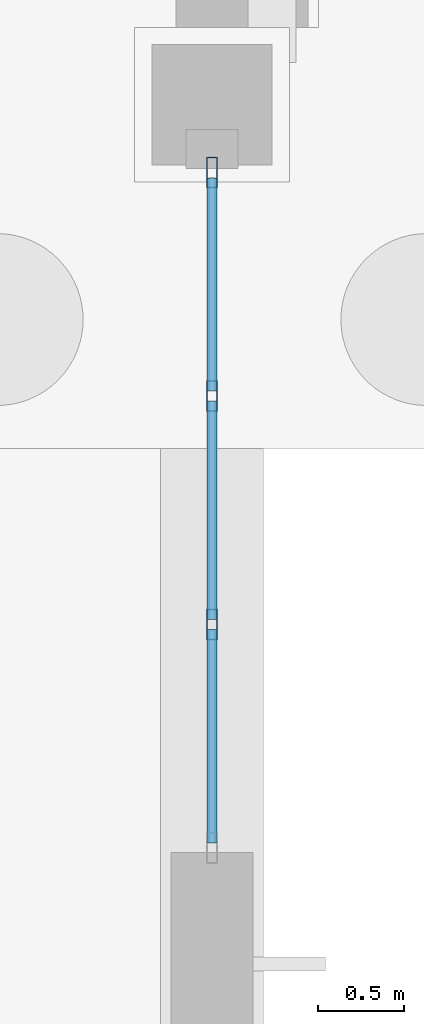
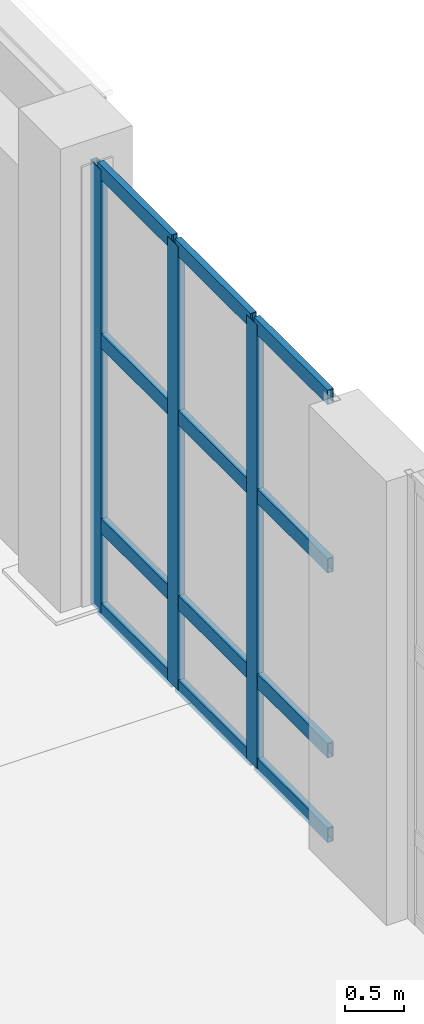
# One storey, part 38 of 73: 15 members, 1 element without a shape of its own.
"""IFC4 building model written with IfcOpenShell, lengths in metres."""

from ifc_helpers import new_model, si_unit, direction, frame, origin, origin_2d, place, context, subcontext, project, spatial, hollow_rectangle, extrude, material, layer, layer_set, material_profile, profile_set, type_object, element, aggregate, save


model = new_model("IFC4")

# Units and contexts
model_context = context("Model", 3, precision=1e-05, world=origin(), true_north=direction((0.0, 1.0)))
body_context = subcontext(model_context, "Body", "Model", "MODEL_VIEW")
ifc_project = project(units=[si_unit("LENGTHUNIT", "METRE"), si_unit("AREAUNIT", "SQUARE_METRE"), si_unit("VOLUMEUNIT", "CUBIC_METRE"), si_unit("PLANEANGLEUNIT", "RADIAN"), si_unit("MASSUNIT", "GRAM", prefix="KILO")], contexts=[model_context])

# Site, building, storey
site_placement = place(None, origin())
site = spatial("IfcSite", under=ifc_project, at=site_placement, CompositionType="ELEMENT")
building_placement = place(site_placement, origin())
building = spatial("IfcBuilding", under=site, at=building_placement, Name="Tasgan Crest Museum", CompositionType="ELEMENT")
storey_placement = place(building_placement, origin())
storey = spatial("IfcBuildingStorey", under=building, at=storey_placement, Name="L00", CompositionType="ELEMENT", Elevation=0.0)

# Curtain wall, members
ifc_material_1 = material(Name="Triple-Glazed Aluminium Curtain Wall", Category="aluminium")
ifc_layer = layer(ifc_material_1, 0.179931640625, Name="CW-DRUM-Y10-48")
ifc_layer_set = layer_set([ifc_layer], Name="Triple-Glazed Aluminium Curtain Wall")
curtain_wall_type = type_object("IfcCurtainWallType", Name="CW-DRUM-Y10-48", PredefinedType="NOTDEFINED", material=ifc_layer_set)
curtain_wall_placement = place(storey_placement, origin())
curtain_wall = element("IfcCurtainWall", 1, at=curtain_wall_placement, inside=storey, type_object=curtain_wall_type, Name="Curtain wall L00 016", PredefinedType="NOTDEFINED")
ifc_material_2 = material(Name="Anodised Aluminium", Category="aluminium")
ifc_material_profile_1 = material_profile(ifc_material_2, hollow_rectangle(XDim=0.06494140625, YDim=0.179931640625, WallThickness=0.0048828125, at=origin_2d()), Name="ALU MULLION 180x65x5")
ifc_profile_set_1 = profile_set([ifc_material_profile_1], Name="Anodised Aluminium")
member_type_1 = type_object("IfcMemberType", Name="CW-MULLION-180", PredefinedType="MULLION", material=ifc_profile_set_1)
member_1_placement = place(storey_placement, frame((108.0, 78.97509765625, 0.0), z_axis=(0.0, 0.0, 1.0), x_axis=(-1.0, 0.0, 0.0)))
member_1 = element("IfcMember", 2, at=member_1_placement, type_object=member_type_1, Name="CW04 mullion 2", PredefinedType="MULLION", context=body_context, shape_type="SweptSolid", body=[
    extrude(hollow_rectangle(XDim=0.06494140625, YDim=0.179931640625, WallThickness=0.0048828125, at=origin_2d()), origin(), (0.0, 0.0, 1.0), 4.56005859375),
])
member_2_placement = place(storey_placement, frame((108.0, 80.304931640625, 0.0), z_axis=(0.0, 0.0, 1.0), x_axis=(-1.0, 0.0, 0.0)))
member_2 = element("IfcMember", 3, at=member_2_placement, type_object=member_type_1, Name="CW04 mullion 3", PredefinedType="MULLION", context=body_context, shape_type="SweptSolid", body=[
    extrude(hollow_rectangle(XDim=0.06494140625, YDim=0.179931640625, WallThickness=0.0048828125, at=origin_2d()), origin(), (0.0, 0.0, 1.0), 4.56005859375),
])
member_3_placement = place(storey_placement, frame((108.0, 81.60498046875, 0.0), z_axis=(0.0, 0.0, 1.0), x_axis=(-1.0, 0.0, 0.0)))
member_3 = element("IfcMember", 4, at=member_3_placement, type_object=member_type_1, Name="CW04 mullion 4", PredefinedType="MULLION", context=body_context, shape_type="SweptSolid", body=[
    extrude(hollow_rectangle(XDim=0.06494140625, YDim=0.179931640625, WallThickness=0.0048828125, at=origin_2d()), origin(), (0.0, 0.0, 1.0), 4.56005859375),
])
ifc_material_3 = material(Name="Anodised Aluminium", Category="aluminium")
ifc_material_profile_2 = material_profile(ifc_material_3, hollow_rectangle(XDim=0.06005859375, YDim=0.14990234375, WallThickness=0.0048828125, at=origin_2d()), Name="ALU TRANSOM 150x60x5")
ifc_profile_set_2 = profile_set([ifc_material_profile_2], Name="Anodised Aluminium")
member_type_2 = type_object("IfcMemberType", Name="CW-TRANSOM-150", PredefinedType="USERDEFINED", material=ifc_profile_set_2)
member_4_placement = place(storey_placement, frame((108.0, 77.705078125, 0.030029296875), z_axis=(0.0, 1.0, 0.0), x_axis=(-1.0, 0.0, 0.0)))
member_4 = element("IfcMember", 5, at=member_4_placement, type_object=member_type_2, Name="CW04 transom 1.1", ObjectType="TRANSOM", PredefinedType="USERDEFINED", context=body_context, shape_type="SweptSolid", body=[
    extrude(hollow_rectangle(XDim=0.06005859375, YDim=0.14990234375, WallThickness=0.0048828125, at=origin_2d()), origin(), (0.0, 0.0, 1.0), 1.239990234375),
])
member_5_placement = place(storey_placement, frame((108.0, 77.705078125, 0.89990234375), z_axis=(0.0, 1.0, 0.0), x_axis=(-1.0, 0.0, 0.0)))
member_5 = element("IfcMember", 6, at=member_5_placement, type_object=member_type_2, Name="CW04 transom 1.2", ObjectType="TRANSOM", PredefinedType="USERDEFINED", context=body_context, shape_type="SweptSolid", body=[
    extrude(hollow_rectangle(XDim=0.06005859375, YDim=0.14990234375, WallThickness=0.0048828125, at=origin_2d()), origin(), (0.0, 0.0, 1.0), 1.239990234375),
])
member_6_placement = place(storey_placement, frame((108.0, 77.705078125, 2.800048828125), z_axis=(0.0, 1.0, 0.0), x_axis=(-1.0, 0.0, 0.0)))
member_6 = element("IfcMember", 7, at=member_6_placement, type_object=member_type_2, Name="CW04 transom 1.3", ObjectType="TRANSOM", PredefinedType="USERDEFINED", context=body_context, shape_type="SweptSolid", body=[
    extrude(hollow_rectangle(XDim=0.06005859375, YDim=0.14990234375, WallThickness=0.0048828125, at=origin_2d()), origin(), (0.0, 0.0, 1.0), 1.239990234375),
])
member_7_placement = place(storey_placement, frame((108.0, 77.705078125, 4.530029296875), z_axis=(0.0, 1.0, 0.0), x_axis=(-1.0, 0.0, 0.0)))
member_7 = element("IfcMember", 8, at=member_7_placement, type_object=member_type_2, Name="CW04 transom 1.4", ObjectType="TRANSOM", PredefinedType="USERDEFINED", context=body_context, shape_type="SweptSolid", body=[
    extrude(hollow_rectangle(XDim=0.06005859375, YDim=0.14990234375, WallThickness=0.0048828125, at=origin_2d()), origin(), (0.0, 0.0, 1.0), 1.239990234375),
])
member_8_placement = place(storey_placement, frame((108.0, 79.0048828125, 0.030029296875), z_axis=(0.0, 1.0, 0.0), x_axis=(-1.0, 0.0, 0.0)))
member_8 = element("IfcMember", 9, at=member_8_placement, type_object=member_type_2, Name="CW04 transom 2.1", ObjectType="TRANSOM", PredefinedType="USERDEFINED", context=body_context, shape_type="SweptSolid", body=[
    extrude(hollow_rectangle(XDim=0.06005859375, YDim=0.14990234375, WallThickness=0.0048828125, at=origin_2d()), origin(), (0.0, 0.0, 1.0), 1.27001953125),
])
member_9_placement = place(storey_placement, frame((108.0, 79.0048828125, 0.89990234375), z_axis=(0.0, 1.0, 0.0), x_axis=(-1.0, 0.0, 0.0)))
member_9 = element("IfcMember", 10, at=member_9_placement, type_object=member_type_2, Name="CW04 transom 2.2", ObjectType="TRANSOM", PredefinedType="USERDEFINED", context=body_context, shape_type="SweptSolid", body=[
    extrude(hollow_rectangle(XDim=0.06005859375, YDim=0.14990234375, WallThickness=0.0048828125, at=origin_2d()), origin(), (0.0, 0.0, 1.0), 1.27001953125),
])
member_10_placement = place(storey_placement, frame((108.0, 79.0048828125, 2.800048828125), z_axis=(0.0, 1.0, 0.0), x_axis=(-1.0, 0.0, 0.0)))
member_10 = element("IfcMember", 11, at=member_10_placement, type_object=member_type_2, Name="CW04 transom 2.3", ObjectType="TRANSOM", PredefinedType="USERDEFINED", context=body_context, shape_type="SweptSolid", body=[
    extrude(hollow_rectangle(XDim=0.06005859375, YDim=0.14990234375, WallThickness=0.0048828125, at=origin_2d()), origin(), (0.0, 0.0, 1.0), 1.27001953125),
])
member_11_placement = place(storey_placement, frame((108.0, 79.0048828125, 4.530029296875), z_axis=(0.0, 1.0, 0.0), x_axis=(-1.0, 0.0, 0.0)))
member_11 = element("IfcMember", 12, at=member_11_placement, type_object=member_type_2, Name="CW04 transom 2.4", ObjectType="TRANSOM", PredefinedType="USERDEFINED", context=body_context, shape_type="SweptSolid", body=[
    extrude(hollow_rectangle(XDim=0.06005859375, YDim=0.14990234375, WallThickness=0.0048828125, at=origin_2d()), origin(), (0.0, 0.0, 1.0), 1.27001953125),
])
member_12_placement = place(storey_placement, frame((108.0, 80.3349609375, 0.030029296875), z_axis=(0.0, 1.0, 0.0), x_axis=(-1.0, 0.0, 0.0)))
member_12 = element("IfcMember", 13, at=member_12_placement, type_object=member_type_2, Name="CW04 transom 3.1", ObjectType="TRANSOM", PredefinedType="USERDEFINED", context=body_context, shape_type="SweptSolid", body=[
    extrude(hollow_rectangle(XDim=0.06005859375, YDim=0.14990234375, WallThickness=0.0048828125, at=origin_2d()), origin(), (0.0, 0.0, 1.0), 1.239990234375),
])
member_13_placement = place(storey_placement, frame((108.0, 80.3349609375, 0.89990234375), z_axis=(0.0, 1.0, 0.0), x_axis=(-1.0, 0.0, 0.0)))
member_13 = element("IfcMember", 14, at=member_13_placement, type_object=member_type_2, Name="CW04 transom 3.2", ObjectType="TRANSOM", PredefinedType="USERDEFINED", context=body_context, shape_type="SweptSolid", body=[
    extrude(hollow_rectangle(XDim=0.06005859375, YDim=0.14990234375, WallThickness=0.0048828125, at=origin_2d()), origin(), (0.0, 0.0, 1.0), 1.239990234375),
])
member_14_placement = place(storey_placement, frame((108.0, 80.3349609375, 2.800048828125), z_axis=(0.0, 1.0, 0.0), x_axis=(-1.0, 0.0, 0.0)))
member_14 = element("IfcMember", 15, at=member_14_placement, type_object=member_type_2, Name="CW04 transom 3.3", ObjectType="TRANSOM", PredefinedType="USERDEFINED", context=body_context, shape_type="SweptSolid", body=[
    extrude(hollow_rectangle(XDim=0.06005859375, YDim=0.14990234375, WallThickness=0.0048828125, at=origin_2d()), origin(), (0.0, 0.0, 1.0), 1.239990234375),
])
member_15_placement = place(storey_placement, frame((108.0, 80.3349609375, 4.530029296875), z_axis=(0.0, 1.0, 0.0), x_axis=(-1.0, 0.0, 0.0)))
member_15 = element("IfcMember", 16, at=member_15_placement, type_object=member_type_2, Name="CW04 transom 3.4", ObjectType="TRANSOM", PredefinedType="USERDEFINED", context=body_context, shape_type="SweptSolid", body=[
    extrude(hollow_rectangle(XDim=0.06005859375, YDim=0.14990234375, WallThickness=0.0048828125, at=origin_2d()), origin(), (0.0, 0.0, 1.0), 1.239990234375),
])
aggregate(curtain_wall, [member_1, member_2, member_3, member_4, member_5, member_6, member_7, member_8, member_9, member_10, member_11, member_12, member_13, member_14, member_15])

save(model, "model.ifc")
